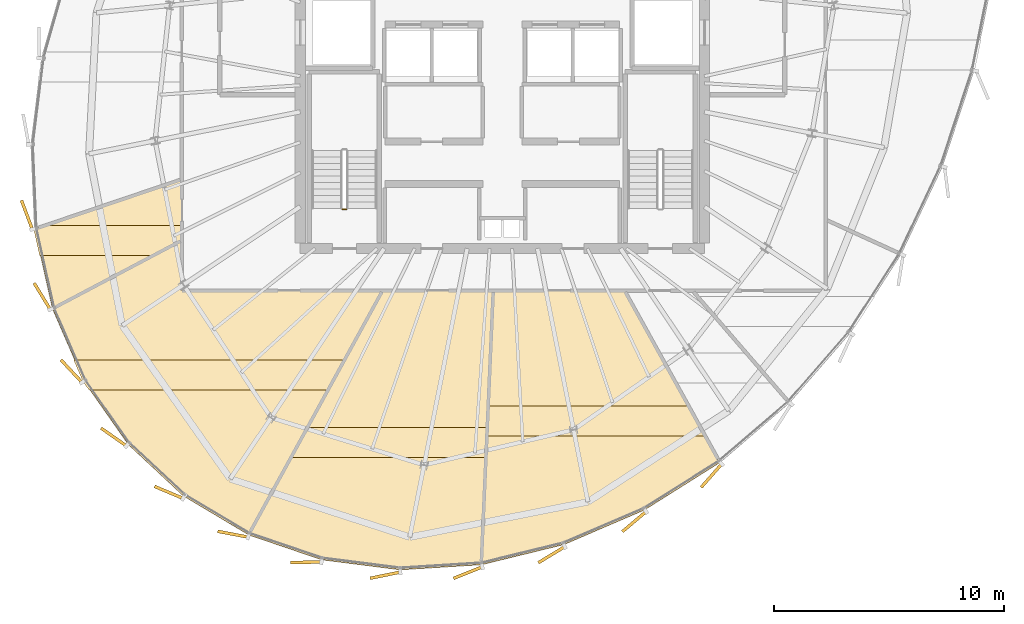
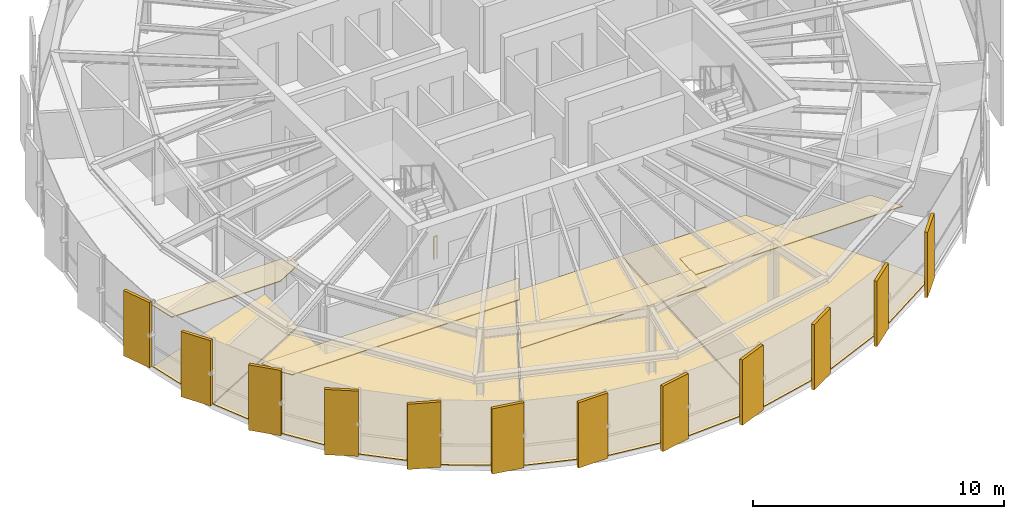
# One storey, part 32 of 35: 20 coverings, 1 railing.
"""IFC4 building model written with IfcOpenShell, lengths in metres."""

import ifcopenshell
import ifcopenshell.guid

model = None  # the IFC model being written
_history = None  # IfcOwnerHistory: only IFC2X3 demands one
_inside = {}  # id of a spatial element -> (the spatial element, [elements in it])
_under = {}  # id of a project, library or spatial element -> (it, [spatial elements below it])
_declared = {}  # id of a project -> (the project, [libraries it declares])
_typed = {}  # id of a type object -> (the type object, [elements of that type])
_made_of = {}  # id of a material, layer set ... -> (it, [elements and type objects made of it])


def new_model(schema):
    """Start an empty IFC model of exactly this schema.

    Asked for "IFC4X3", IfcOpenShell would pick the latest addendum, in which some entities
    have other attributes; the version numbers below select the first issue.
    IFC2X3 requires an IfcOwnerHistory on every rooted entity: one is made here for all.
    """
    global model, _history
    if schema == "IFC4X3":
        model = ifcopenshell.file(schema_version=(4, 3, 0, 0))
    else:
        model = ifcopenshell.file(schema=schema)
    _inside.clear()
    _under.clear()
    _declared.clear()
    _typed.clear()
    _made_of.clear()
    _history = None
    if model.schema == "IFC2X3":
        org = make("IfcOrganization", Name="unknown")
        user = make(
            "IfcPersonAndOrganization",
            ThePerson=make("IfcPerson", FamilyName="unknown"),
            TheOrganization=org,
        )
        app = make(
            "IfcApplication",
            ApplicationDeveloper=org,
            Version="unknown",
            ApplicationFullName="unknown",
            ApplicationIdentifier="unknown",
        )
        _history = make(
            "IfcOwnerHistory",
            OwningUser=user,
            OwningApplication=app,
            ChangeAction="ADDED",
            CreationDate=0,
        )
    return model


def make(cls, **values):
    """One entity of the class cls with the attributes given. An attribute that is None is left unset."""
    return model.create_entity(
        cls, **{name: value for name, value in values.items() if value is not None}
    )


def rooted(cls, **values):
    """An entity with a GlobalId (a new one), such as an element, a storey or a relation."""
    return make(cls, GlobalId=ifcopenshell.guid.new(), OwnerHistory=_history, **values)


def si_unit(unit_type, name, prefix=None):
    """IfcSIUnit, for example si_unit("LENGTHUNIT", "METRE", prefix="MILLI")."""
    return make("IfcSIUnit", UnitType=unit_type, Prefix=prefix, Name=name)


def assignment(units):
    """IfcUnitAssignment: the units of a project."""
    return None if units is None else make("IfcUnitAssignment", Units=units)


def point(xyz):
    """IfcCartesianPoint."""
    return None if xyz is None else make("IfcCartesianPoint", Coordinates=xyz)


def direction(xyz):
    """IfcDirection."""
    return None if xyz is None else make("IfcDirection", DirectionRatios=xyz)


def frame(location, z_axis=None, x_axis=None):
    """IfcAxis2Placement3D, a coordinate frame: its origin and axes. An axis left out is left unset."""
    return make(
        "IfcAxis2Placement3D",
        Location=point(location),
        Axis=direction(z_axis),
        RefDirection=direction(x_axis),
    )


def frame_2d(location, x_axis=None):
    """IfcAxis2Placement2D, a coordinate frame in the plane: its origin and x axis."""
    return make(
        "IfcAxis2Placement2D", Location=point(location), RefDirection=direction(x_axis)
    )


def origin():
    """The frame at (0, 0, 0) with its axes left unset."""
    return frame((0.0, 0.0, 0.0))


def origin_2d():
    """The frame at (0, 0) in the plane with its x axis left unset."""
    return frame_2d((0.0, 0.0))


def place(relative_to, where):
    """IfcLocalPlacement: puts the frame where relative to a parent placement (None: the world)."""
    return make(
        "IfcLocalPlacement", PlacementRelTo=relative_to, RelativePlacement=where
    )


def context(
    kind, dimensions, precision=None, world=None, true_north=None, identifier=None
):
    """IfcGeometricRepresentationContext, for example the 3D "Model" context."""
    return make(
        "IfcGeometricRepresentationContext",
        ContextIdentifier=identifier,
        ContextType=kind,
        CoordinateSpaceDimension=dimensions,
        Precision=precision,
        WorldCoordinateSystem=world,
        TrueNorth=true_north,
    )


def subcontext(parent, identifier, kind, view, scale=None):
    """IfcGeometricRepresentationSubContext, for example "Body" below "Model"."""
    return make(
        "IfcGeometricRepresentationSubContext",
        ContextIdentifier=identifier,
        ContextType=kind,
        ParentContext=parent,
        TargetScale=scale,
        TargetView=view,
    )


def project(units=None, contexts=None):
    """IfcProject with its units and contexts."""
    return rooted(
        "IfcProject",
        Name="project",
        RepresentationContexts=contexts,
        UnitsInContext=assignment(units),
    )


def spatial(cls, under=None, at=None, **own):
    """A site, building, storey or space (cls), placed at a placement, below another one or the project."""
    s = rooted(cls, ObjectPlacement=at, **own)
    if under is not None:
        _under.setdefault(under.id(), (under, []))[1].append(s)
    return s


def polyline(points):
    """IfcPolyline through the points."""
    return make("IfcPolyline", Points=[point(p) for p in points])


def profile(cls, at=None, kind="AREA", **sizes):
    """A parametric profile (cls). Its sizes go by their IFC names, for example OverallWidth=200.0."""
    return make(cls, ProfileType=kind, Position=at, **sizes)


def rectangle(**sizes):
    """IfcRectangleProfileDef."""
    return profile("IfcRectangleProfileDef", **sizes)


def circle(**sizes):
    """IfcCircleProfileDef."""
    return profile("IfcCircleProfileDef", **sizes)


def outline(outer, holes=None, kind="AREA"):
    """IfcArbitraryClosedProfileDef: a profile drawn as a closed curve; with holes, ...WithVoids."""
    if holes is None:
        return make("IfcArbitraryClosedProfileDef", ProfileType=kind, OuterCurve=outer)
    return make(
        "IfcArbitraryProfileDefWithVoids",
        ProfileType=kind,
        OuterCurve=outer,
        InnerCurves=holes,
    )


def extrude(swept, where, along, depth):
    """IfcExtrudedAreaSolid: the profile swept, set in the frame where, extruded along a direction by depth."""
    return make(
        "IfcExtrudedAreaSolid",
        SweptArea=swept,
        Position=where,
        ExtrudedDirection=direction(along),
        Depth=depth,
    )


def shape(context_of_items, identifier, shape_type, items):
    """IfcShapeRepresentation: the items that make up one representation, for example the "Body"."""
    return make(
        "IfcShapeRepresentation",
        ContextOfItems=context_of_items,
        RepresentationIdentifier=identifier,
        RepresentationType=shape_type,
        Items=items,
    )


def source(mapping_origin, context_of_items, identifier, shape_type, items):
    """IfcRepresentationMap: a shape defined once, which mapped items show again and again."""
    return make(
        "IfcRepresentationMap",
        MappingOrigin=mapping_origin,
        MappedRepresentation=shape(context_of_items, identifier, shape_type, items),
    )


def transform(
    local_origin,
    x_axis=None,
    y_axis=None,
    z_axis=None,
    scale=None,
    scale2=None,
    scale3=None,
    uniform=True,
):
    """IfcCartesianTransformationOperator3D, or its non-uniform kind. x_axis, y_axis, z_axis: its Axis1, 2, 3."""
    if uniform:
        return make(
            "IfcCartesianTransformationOperator3D",
            Axis1=direction(x_axis),
            Axis2=direction(y_axis),
            LocalOrigin=point(local_origin),
            Scale=scale,
            Axis3=direction(z_axis),
        )
    return make(
        "IfcCartesianTransformationOperator3DnonUniform",
        Axis1=direction(x_axis),
        Axis2=direction(y_axis),
        LocalOrigin=point(local_origin),
        Scale=scale,
        Axis3=direction(z_axis),
        Scale2=scale2,
        Scale3=scale3,
    )


def mapped(mapping_source, mapping_target):
    """IfcMappedItem: shows the shape of a source again, moved by a transform."""
    return make(
        "IfcMappedItem", MappingSource=mapping_source, MappingTarget=mapping_target
    )


def material(Name=None, Category=None):
    """IfcMaterial."""
    return make("IfcMaterial", Name=Name, Category=Category)


def layer(
    of_material, thickness, ventilated=None, Name=None, Category=None, Priority=None
):
    """IfcMaterialLayer: one layer of a wall or slab, of a material (None: an air gap)."""
    return make(
        "IfcMaterialLayer",
        Material=of_material,
        LayerThickness=thickness,
        IsVentilated=ventilated,
        Name=Name,
        Category=Category,
        Priority=Priority,
    )


def layer_set(layers, Name=None):
    """IfcMaterialLayerSet."""
    return make("IfcMaterialLayerSet", MaterialLayers=layers, LayerSetName=Name)


def made_of(thing, what):
    """Note that an element or type object is made of a material, layer set ...; save() writes the relation."""
    if what is not None:
        _made_of.setdefault(what.id(), (what, []))[1].append(thing)
    return thing


def type_object(cls, material=None, **own):
    """A type object (cls), such as IfcWallType, which elements share."""
    return made_of(rooted(cls, **own), material)


def element(
    cls,
    number,
    at=None,
    inside=None,
    cuts=None,
    type_object=None,
    material=None,
    context=None,
    identifier="Body",
    shape_type=None,
    held_by="IfcProductDefinitionShape",
    body=None,
    shapes=None,
    **own,
):
    """One element of the class cls, such as IfcWall. Its Tag is "e" and its number.

    at: its placement. inside: the storey or other place that contains it. cuts: it is an
    opening in that element (IfcRelVoidsElement). A single representation is given by context,
    identifier, shape_type and body (its items); several are given by shapes. held_by: the class
    of the entity that holds the representations. save() writes the other relations.
    """
    e = rooted(cls, Tag="e%d" % number, ObjectPlacement=at, **own)
    if body is not None:
        shapes = [shape(context, identifier, shape_type, body)]
    if shapes is not None:
        e.Representation = make(held_by, Representations=shapes)
    if inside is not None:
        _inside.setdefault(inside.id(), (inside, []))[1].append(e)
    if cuts is not None:
        rooted(
            "IfcRelVoidsElement", RelatingBuildingElement=cuts, RelatedOpeningElement=e
        )
    if type_object is not None:
        _typed.setdefault(type_object.id(), (type_object, []))[1].append(e)
    return made_of(e, material)


def aggregate(whole, parts):
    """IfcRelAggregates: a whole, such as a stair, and the parts it consists of."""
    return rooted("IfcRelAggregates", RelatingObject=whole, RelatedObjects=parts)


def save(model, path):
    """Write the relations noted so far, then the file.

    IfcRelAggregates (storeys below a building ...), IfcRelContainedInSpatialStructure (elements
    in a storey), IfcRelDefinesByType, IfcRelAssociatesMaterial and IfcRelDeclares: one each for
    every whole, place, type object, material and project.
    """
    for whole, parts in _under.values():
        aggregate(whole, parts)
    for where, things in _inside.values():
        rooted(
            "IfcRelContainedInSpatialStructure",
            RelatedElements=things,
            RelatingStructure=where,
        )
    for kind, things in _typed.values():
        rooted("IfcRelDefinesByType", RelatedObjects=things, RelatingType=kind)
    for what, things in _made_of.values():
        rooted("IfcRelAssociatesMaterial", RelatedObjects=things, RelatingMaterial=what)
    for by, libraries in _declared.values():
        rooted("IfcRelDeclares", RelatingContext=by, RelatedDefinitions=libraries)
    model.write(path)


model = new_model("IFC4")

# Units and contexts
model_context = context("Model", 3, precision=1e-05, world=origin(), true_north=direction((0.0, 1.0)))
body_context = subcontext(model_context, "Body", "Model", "MODEL_VIEW")
ifc_project = project(units=[si_unit("LENGTHUNIT", "METRE"), si_unit("AREAUNIT", "SQUARE_METRE"), si_unit("VOLUMEUNIT", "CUBIC_METRE"), si_unit("PLANEANGLEUNIT", "RADIAN"), si_unit("MASSUNIT", "GRAM", prefix="KILO"), si_unit("THERMODYNAMICTEMPERATUREUNIT", "KELVIN")], contexts=[model_context])

# Site, building, storey
site_placement = place(None, origin())
site = spatial("IfcSite", under=ifc_project, at=site_placement, CompositionType="ELEMENT")
building_placement = place(site_placement, origin())
building = spatial("IfcBuilding", under=site, at=building_placement, Name="Kethvar Cultural Tower", CompositionType="ELEMENT")
storey_placement = place(building_placement, frame((0.0, 0.0, 249.10009765625)))
storey = spatial("IfcBuildingStorey", under=building, at=storey_placement, Name="L65", CompositionType="ELEMENT", Elevation=249.10009765625)

# Coverings
ifc_material_1 = material(Name="Acoustic Mineral Fibre Ceiling")
ifc_layer_1 = layer(ifc_material_1, 0.0400390625, Name="Acoustic Mineral Fibre Ceiling")
ifc_layer_set_1 = layer_set([ifc_layer_1], Name="Acoustic Mineral Fibre Ceiling (40 mm)")
covering_type_1 = type_object("IfcCoveringType", Name="CV-ACOUSTIC-CEIL", PredefinedType="CEILING", material=ifc_layer_set_1)
covering_1_placement = place(storey_placement, frame((0.0, 0.0, 3.0)))
element("IfcCovering", 1, at=covering_1_placement, inside=storey, type_object=covering_type_1, Name="L65 Room 01 Acoustic Ceiling Panel", PredefinedType="CEILING", context=body_context, shape_type="SweptSolid", body=[
    extrude(outline(polyline([(26.396728515625, 20.947021484375), (26.81298828125, 21.103759765625), (32.8701171875, 21.103759765625), (32.869873046875, 20.45166015625), (31.6396484375, 19.793701171875), (26.654296875, 19.793701171875), (26.396728515625, 20.947021484375)])), origin(), (0.0, 0.0, 1.0), 0.039794921875),
])
covering_2_placement = place(storey_placement, frame((0.0, 0.0, 3.0)))
element("IfcCovering", 2, at=covering_2_placement, inside=storey, type_object=covering_type_1, Name="L65 Room 02 Acoustic Ceiling Panel", PredefinedType="CEILING", context=body_context, shape_type="SweptSolid", body=[
    extrude(outline(polyline([(28.549072265625, 14.302490234375), (28.139892578125, 15.24365234375), (39.95556640625, 15.24365234375), (39.239013671875, 13.93359375), (28.80712890625, 13.93359375), (28.549072265625, 14.302490234375)])), origin(), (0.0, 0.0, 1.0), 0.039794921875),
])
covering_3_placement = place(storey_placement, frame((0.0, 0.0, 3.0)))
element("IfcCovering", 3, at=covering_3_placement, inside=storey, type_object=covering_type_1, Name="L65 Room 03 Acoustic Ceiling Panel", PredefinedType="CEILING", context=body_context, shape_type="SweptSolid", body=[
    extrude(outline(polyline([(38.30224609375, 12.30419921875), (46.1767578125, 12.30419921875), (46.122314453125, 10.994140625), (37.585693359375, 10.994140625), (38.30224609375, 12.30419921875)])), origin(), (0.0, 0.0, 1.0), 0.039794921875),
])
covering_4_placement = place(storey_placement, frame((0.0, 0.0, 3.0)))
element("IfcCovering", 4, at=covering_4_placement, inside=storey, type_object=covering_type_1, Name="L65 Room 04 Acoustic Ceiling Panel", PredefinedType="CEILING", context=body_context, shape_type="SweptSolid", body=[
    extrude(outline(polyline([(46.17529296875, 13.23681640625), (54.948486328125, 13.23681640625), (55.67919921875, 11.927001953125), (46.12109375, 11.927001953125), (46.17529296875, 13.23681640625)])), origin(), (0.0, 0.0, 1.0), 0.039794921875),
])
ifc_material_2 = material(Name="Architectural Oak Timber", Category="wood")
ifc_layer_2 = layer(ifc_material_2, 0.02490234375, Name="Architectural Oak Timber", Category="wood")
ifc_layer_set_2 = layer_set([ifc_layer_2], Name="Architectural Oak Timber (25 mm)")
covering_type_2 = type_object("IfcCoveringType", Name="CV-OAK-FLOOR", PredefinedType="FLOORING", material=ifc_layer_set_2)
covering_5_placement = place(storey_placement, origin())
element("IfcCovering", 5, at=covering_5_placement, inside=storey, type_object=covering_type_2, Name="L65 Room 01 Floor Finish", PredefinedType="FLOORING", context=body_context, shape_type="SweptSolid", body=[
    extrude(outline(polyline([(26.43994140625, 20.936279296875), (32.830078125, 23.083740234375), (32.830078125, 20.4658203125), (27.20703125, 17.504638671875), (26.43994140625, 20.936279296875)])), origin(), (0.0, 0.0, 1.0), 0.02490234375),
])
covering_6_placement = place(storey_placement, origin())
element("IfcCovering", 6, at=covering_6_placement, inside=storey, type_object=covering_type_2, Name="L65 Room 02 Floor Finish", PredefinedType="FLOORING", context=body_context, shape_type="SweptSolid", body=[
    extrude(outline(polyline([(32.92578125, 9.321044921875), (30.507080078125, 11.575927734375), (28.5830078125, 14.32373046875), (27.218994140625, 17.4658203125), (32.830078125, 20.420654296875), (32.84619140625, 18.24951171875), (41.5537109375, 18.2490234375), (35.749755859375, 7.63720703125), (32.92578125, 9.321044921875)])), origin(), (0.0, 0.0, 1.0), 0.02490234375),
])
covering_7_placement = place(storey_placement, origin())
element("IfcCovering", 7, at=covering_7_placement, inside=storey, type_object=covering_type_2, Name="L65 Room 03 Floor Finish", PredefinedType="FLOORING", context=body_context, shape_type="SweptSolid", body=[
    extrude(outline(polyline([(42.35546875, 6.111083984375), (38.941162109375, 6.546630859375), (35.786376953125, 7.62060546875), (41.599365234375, 18.2490234375), (46.383544921875, 18.2490234375), (45.888916015625, 6.33349609375), (42.35546875, 6.111083984375)])), origin(), (0.0, 0.0, 1.0), 0.02490234375),
])
covering_8_placement = place(storey_placement, origin())
element("IfcCovering", 8, at=covering_8_placement, inside=storey, type_object=covering_type_2, Name="L65 Room 04 Floor Finish", PredefinedType="FLOORING", context=body_context, shape_type="SweptSolid", body=[
    extrude(outline(polyline([(52.977783203125, 8.711669921875), (49.482177734375, 7.210205078125), (45.92919921875, 6.340576171875), (46.423583984375, 18.2490234375), (52.106201171875, 18.2490234375), (56.271240234375, 10.783935546875), (52.977783203125, 8.711669921875)])), origin(), (0.0, 0.0, 1.0), 0.02490234375),
])

# Railing
ifc_material_3 = material(Name="Steel S355J2", Category="steel")
railing_type = type_object("IfcRailingType", Name="RL-STAIR-GUARD", PredefinedType="BALUSTRADE", material=ifc_material_3)
railing_placement = place(storey_placement, frame((40.0, 21.800048828125, 0.0)))
element("IfcRailing", 9, at=railing_placement, inside=storey, type_object=railing_type, Name="L65 ST-01 stair guard 4", PredefinedType="BALUSTRADE", context=body_context, shape_type="SweptSolid", body=[
    extrude(circle(Radius=0.02392578125, at=origin_2d()), frame((0.0, 0.0, 1.09619140625), z_axis=(-1.0, 0.0, 0.0), x_axis=(0.0, -1.0, 0.0)), (0.0, 0.0, 1.0), 0.159912109375),
    extrude(circle(Radius=0.02099609375, at=origin_2d()), origin(), (0.0, 0.0, 1.0), 1.072021484375),
    extrude(circle(Radius=0.02099609375, at=origin_2d()), frame((-0.159912109375, 0.0, 0.0)), (0.0, 0.0, 1.0), 1.072021484375),
])

# Coverings
ifc_material_4 = material(Name="Extruded Architectural Terracotta", Category="masonry")
ifc_layer_3 = layer(ifc_material_4, 0.135009765625, Name="Extruded Architectural Terracotta", Category="masonry")
ifc_layer_set_3 = layer_set([ifc_layer_3], Name="Extruded Architectural Terracotta (135 mm)")
covering_type_3 = type_object("IfcCoveringType", Name="Terracotta Facade Fin FIN-03", PredefinedType="CLADDING", material=ifc_layer_set_3)
shared_shape = source(origin(), body_context, "Body", "SweptSolid", [
    extrude(rectangle(XDim=1.35009765625, YDim=0.135009765625, at=origin_2d()), origin(), (0.0, 0.0, 1.0), 3.169921875),
])
for number, where, z_axis, x_axis, name in (
    (10, (26.10107421875, 21.563720703125, 0.02001953125), (0.0, 0.0, 1.0), (-0.351841648405, 0.936059535739, 0.0), "L65 Vertical Terracotta Fin 3.3"),
    (11, (26.767333984375, 18.0185546875, 0.02001953125), (0.0, 0.0, 1.0), (-0.522052051767, 0.852913627072, 0.0), "L65 Vertical Terracotta Fin 3.4"),
    (12, (28.03955078125, 14.76171875, 0.02001953125), (0.0, 0.0, 1.0), (-0.681998360062, 0.731353701619, 0.0), "L65 Vertical Terracotta Fin 3.5"),
    (13, (29.88427734375, 11.891357421875, 0.02001953125), (0.0, 0.0, 1.0), (-0.819252139785, 0.573433458613, 0.0), "L65 Vertical Terracotta Fin 3.6"),
    (14, (32.281005859375, 9.479736328125, 0.02001953125), (0.0, 0.0, 1.0), (-0.921795503319, 0.387676476022, 0.0), "L65 Vertical Terracotta Fin 4.1"),
    (15, (35.068603515625, 7.66015625, 0.02001953125), (0.0, 0.0, 1.0), (-0.982287250729, 0.187381314586, 0.0), "L65 Vertical Terracotta Fin 4.2"),
    (16, (38.251708984375, 6.43896484375, 0.02001953125), (0.0, 0.0, 1.0), (-0.999918835786, -0.012740558836, 0.0), "L65 Vertical Terracotta Fin 4.3"),
    (17, (41.69873046875, 5.87548828125, 0.02001953125), (0.0, 0.0, 1.0), (-0.979575249599, -0.201077921146, 0.0), "L65 Vertical Terracotta Fin 4.4"),
    (18, (45.30029296875, 5.98681640625, 0.02001953125), (0.0, 0.0, 1.0), (-0.928744864252, -0.370719539713, 0.0), "L65 Vertical Terracotta Fin 4.5"),
    (19, (48.94287109375, 6.767578125, 0.02001953125), (0.0, 0.0, 1.0), (-0.855002400666, -0.51862403999, 0.0), "L65 Vertical Terracotta Fin 4.6"),
    (20, (52.544189453125, 8.209716796875, 0.02001953125), (0.0, 0.0, 1.0), (-0.764021289334, -0.645191033296, 0.0), "L65 Vertical Terracotta Fin 5.1"),
    (21, (55.90478515625, 10.209228515625, 0.02001953125), (0.0, 0.0, 1.0), (-0.659870537582, -0.751379314082, 0.0), "L65 Vertical Terracotta Fin 5.2"),
):
    element("IfcCovering", number, at=place(storey_placement, frame(where, z_axis=z_axis, x_axis=x_axis)), inside=storey, type_object=covering_type_3, Name=name, PredefinedType="CLADDING", context=body_context, shape_type="MappedRepresentation", body=[
        mapped(shared_shape, transform((0.0, 0.0, 0.0), scale=1.0)),
    ])

save(model, "model.ifc")
